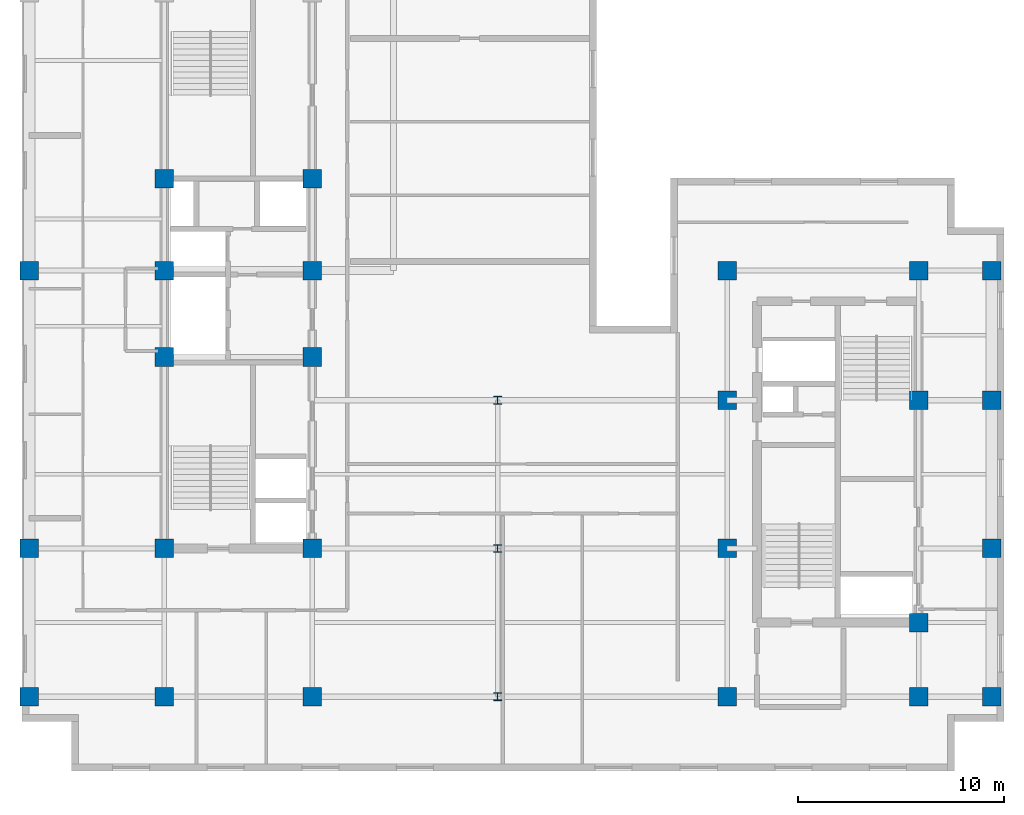
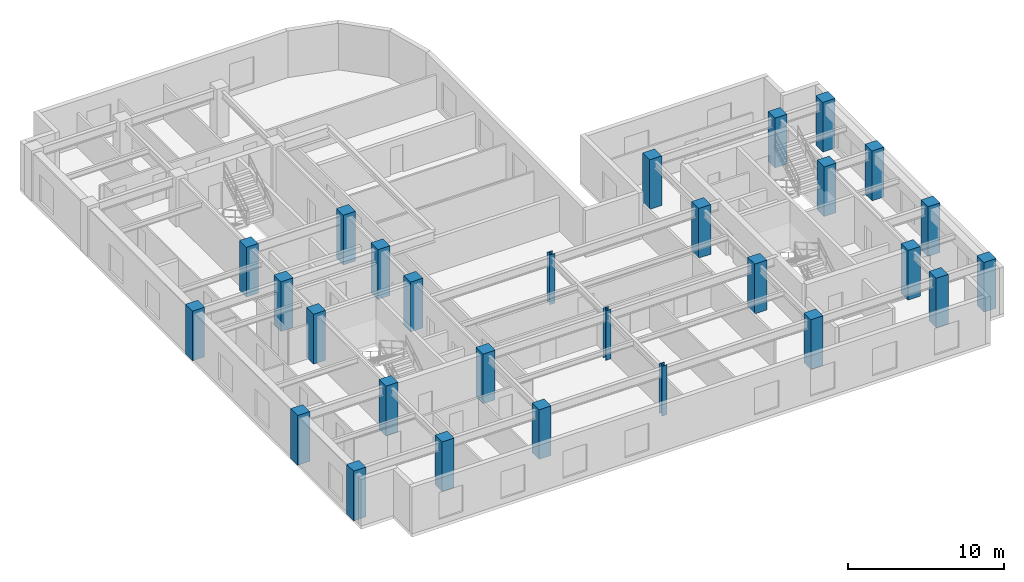
# One storey, part 1 of 10: 28 columns.
"""IFC4 building model written with IfcOpenShell, lengths in metres."""

from ifc_helpers import new_model, entity, si_unit, converted_unit, direction, frame, origin_with_axes, origin_2d_with_axis, place, context, subcontext, project, spatial, rectangle, i_section, extrude, material, material_profile, profile_set, type_object, element, save


model = new_model("IFC4")

# Units and contexts
model_context = context("Model", 3, precision=1e-05, world=origin_with_axes(), true_north=direction((0.0, 1.0)))
body_context = subcontext(model_context, "Body", "Model", "MODEL_VIEW")
ifc_project = project(units=[si_unit("LENGTHUNIT", "METRE"), si_unit("AREAUNIT", "SQUARE_METRE"), si_unit("VOLUMEUNIT", "CUBIC_METRE"), converted_unit("PLANEANGLEUNIT", "DEGREE", entity("IfcPlaneAngleMeasure", 0.017453292519943295), si_unit("PLANEANGLEUNIT", "RADIAN"), dimensions=[0, 0, 0, 0, 0, 0, 0]), si_unit("MASSUNIT", "GRAM", prefix="KILO"), si_unit("THERMODYNAMICTEMPERATUREUNIT", "KELVIN")], contexts=[model_context])

# Site, building, storey
site_placement = place(None, origin_with_axes())
site = spatial("IfcSite", under=ifc_project, at=site_placement, CompositionType="ELEMENT")
building_placement = place(site_placement, origin_with_axes())
building = spatial("IfcBuilding", under=site, at=building_placement, Name="Varnlund Millrace Tower", CompositionType="ELEMENT")
storey_placement = place(building_placement, frame((0.0, 0.0, 228.6), z_axis=(0.0, 0.0, 1.0), x_axis=(1.0, 0.0, 0.0)))
storey = spatial("IfcBuildingStorey", under=building, at=storey_placement, Name="L56", CompositionType="ELEMENT", Elevation=228.6)

# Columns
ifc_material_1 = material(Name="Steel ASTM A992 Grade 50", Category="steel")
ifc_material_profile_1 = material_profile(ifc_material_1, i_section(OverallWidth=0.394, OverallDepth=0.375, WebThickness=0.0173, FlangeThickness=0.0277, FilletRadius=0.02, at=origin_2d_with_axis()), Name="Steel ASTM A992 Grade 50")
ifc_profile_set_1 = profile_set([ifc_material_profile_1], Name="Steel ASTM A992 Grade 50")
column_type_1 = type_object("IfcColumnType", Name="Type-Col-Int-W14X145", PredefinedType="COLUMN", material=ifc_profile_set_1)
for number, where, z_axis, x_axis, name in (
    (1, (27.6, 3.6, 0.0), (0.0, 0.0, 1.0), (1.0, 0.0, 0.0), "Type-Col-Int-W14X145"),
    (2, (27.6, 10.8, 0.0), (0.0, 0.0, 1.0), (1.0, 0.0, 0.0), "Type-Col-Int-W14X145"),
    (3, (27.6, 18.0, 0.0), (0.0, 0.0, 1.0), (1.0, 0.0, 0.0), "Type-Col-Int-W14X145"),
):
    element("IfcColumn", number, at=place(storey_placement, frame(where, z_axis=z_axis, x_axis=x_axis)), inside=storey, type_object=column_type_1, Name=name, PredefinedType="COLUMN", context=body_context, shape_type="SweptSolid", body=[
        extrude(i_section(OverallWidth=0.394, OverallDepth=0.375, WebThickness=0.0173, FlangeThickness=0.0277, FilletRadius=0.02, at=origin_2d_with_axis()), origin_with_axes(), (0.0, 0.0, 1.0), 3.9),
    ])
ifc_material_2 = material(Name="Concrete C70/85", Category="concrete")
ifc_material_profile_2 = material_profile(ifc_material_2, rectangle(XDim=0.9, YDim=0.9, at=origin_2d_with_axis()), Name="Concrete C70/85")
ifc_profile_set_2 = profile_set([ifc_material_profile_2], Name="Concrete C70/85")
column_type_2 = type_object("IfcColumnType", Name="Type-Col-RC900-C70", PredefinedType="COLUMN", material=ifc_profile_set_2)
for number, where, z_axis, x_axis, name in (
    (4, (11.4, 3.6, 0.0), (0.0, 0.0, 1.0), (1.0, 0.0, 0.0), "Type-Col-RC900-C70"),
    (5, (11.4, 10.8, 0.0), (0.0, 0.0, 1.0), (1.0, 0.0, 0.0), "Type-Col-RC900-C70"),
    (6, (11.4, 20.1, 0.0), (0.0, 0.0, 1.0), (1.0, 0.0, 0.0), "Type-Col-RC900-C70"),
    (7, (11.4, 24.3, 0.0), (0.0, 0.0, 1.0), (1.0, 0.0, 0.0), "Type-Col-RC900-C70"),
    (8, (11.4, 28.75, 0.0), (0.0, 0.0, 1.0), (1.0, 0.0, 0.0), "Type-Col-RC900-C70"),
    (9, (18.6, 3.6, 0.0), (0.0, 0.0, 1.0), (1.0, 0.0, 0.0), "Type-Col-RC900-C70"),
    (10, (18.6, 10.8, 0.0), (0.0, 0.0, 1.0), (1.0, 0.0, 0.0), "Type-Col-RC900-C70"),
    (11, (18.6, 20.1, 0.0), (0.0, 0.0, 1.0), (1.0, 0.0, 0.0), "Type-Col-RC900-C70"),
    (12, (18.6, 24.3, 0.0), (0.0, 0.0, 1.0), (1.0, 0.0, 0.0), "Type-Col-RC900-C70"),
    (13, (18.6, 28.75, 0.0), (0.0, 0.0, 1.0), (1.0, 0.0, 0.0), "Type-Col-RC900-C70"),
    (14, (4.85, 3.6, 0.0), (0.0, 0.0, 1.0), (1.0, 0.0, 0.0), "Type-Col-RC900-C70"),
    (15, (4.85, 10.8, 0.0), (0.0, 0.0, 1.0), (1.0, 0.0, 0.0), "Type-Col-RC900-C70"),
    (16, (4.85, 24.3, 0.0), (0.0, 0.0, 1.0), (1.0, 0.0, 0.0), "Type-Col-RC900-C70"),
    (17, (38.75, 3.6, 0.0), (0.0, 0.0, 1.0), (1.0, 0.0, 0.0), "Type-Col-RC900-C70"),
    (18, (38.75, 10.8, 0.0), (0.0, 0.0, 1.0), (1.0, 0.0, 0.0), "Type-Col-RC900-C70"),
    (19, (38.75, 18.0, 0.0), (0.0, 0.0, 1.0), (1.0, 0.0, 0.0), "Type-Col-RC900-C70"),
    (20, (38.75, 24.3, 0.0), (0.0, 0.0, 1.0), (1.0, 0.0, 0.0), "Type-Col-RC900-C70"),
    (21, (48.05, 3.6, 0.0), (0.0, 0.0, 1.0), (1.0, 0.0, 0.0), "Type-Col-RC900-C70"),
    (22, (48.05, 7.2, 0.0), (0.0, 0.0, 1.0), (1.0, 0.0, 0.0), "Type-Col-RC900-C70"),
    (23, (48.05, 18.0, 0.0), (0.0, 0.0, 1.0), (1.0, 0.0, 0.0), "Type-Col-RC900-C70"),
    (24, (48.05, 24.3, 0.0), (0.0, 0.0, 1.0), (1.0, 0.0, 0.0), "Type-Col-RC900-C70"),
    (25, (51.6, 3.6, 0.0), (0.0, 0.0, 1.0), (1.0, 0.0, 0.0), "Type-Col-RC900-C70"),
    (26, (51.6, 10.8, 0.0), (0.0, 0.0, 1.0), (1.0, 0.0, 0.0), "Type-Col-RC900-C70"),
    (27, (51.6, 18.0, 0.0), (0.0, 0.0, 1.0), (1.0, 0.0, 0.0), "Type-Col-RC900-C70"),
    (28, (51.6, 24.3, 0.0), (0.0, 0.0, 1.0), (1.0, 0.0, 0.0), "Type-Col-RC900-C70"),
):
    element("IfcColumn", number, at=place(storey_placement, frame(where, z_axis=z_axis, x_axis=x_axis)), inside=storey, type_object=column_type_2, Name=name, PredefinedType="COLUMN", context=body_context, shape_type="SweptSolid", body=[
        extrude(rectangle(XDim=0.9, YDim=0.9, at=origin_2d_with_axis()), origin_with_axes(), (0.0, 0.0, 1.0), 3.9),
    ])

save(model, "model.ifc")
